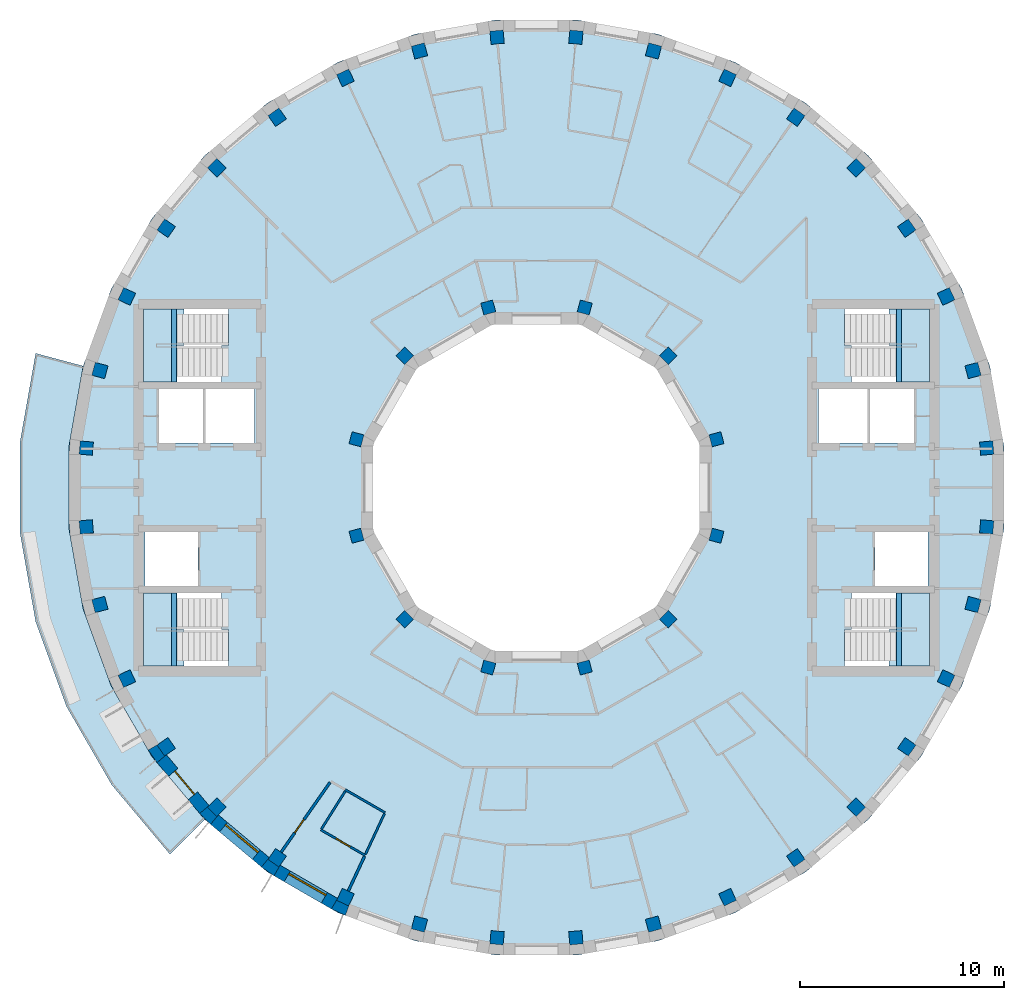
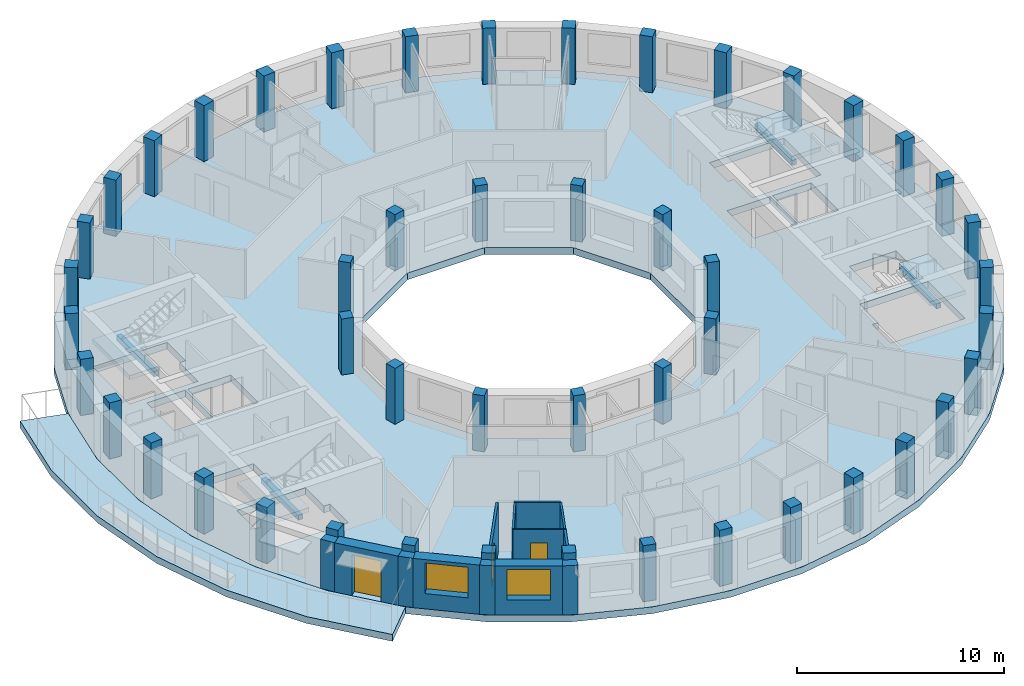
# One storey, part 1 of 10: 48 columns, 13 walls, 6 slabs, 4 beams, 3 doors, 2 windows, 5 openings, 4 elements without a shape of their own.
"""IFC4 building model written with IfcOpenShell, lengths in metres."""

from ifc_helpers import new_model, si_unit, direction, frame, frame_2d, origin, origin_2d, place, context, subcontext, project, spatial, polyline, rectangle, outline, extrude, material, layer, layer_set, material_profile, profile_set, type_object, element, fill, aggregate, save


model = new_model("IFC4")

# Units and contexts
model_context = context("Model", 3, precision=1e-05, world=origin(), true_north=direction((0.0, 1.0)))
body_context = subcontext(model_context, "Body", "Model", "MODEL_VIEW")
ifc_project = project(units=[si_unit("LENGTHUNIT", "METRE"), si_unit("AREAUNIT", "SQUARE_METRE"), si_unit("VOLUMEUNIT", "CUBIC_METRE"), si_unit("PLANEANGLEUNIT", "RADIAN"), si_unit("MASSUNIT", "GRAM", prefix="KILO")], contexts=[model_context])

# Site, building, storey
site_placement = place(None, origin())
site = spatial("IfcSite", under=ifc_project, at=site_placement, CompositionType="ELEMENT")
building_placement = place(site_placement, origin())
building = spatial("IfcBuilding", under=site, at=building_placement, Name="Saqina Gate Tower", CompositionType="ELEMENT")
storey_placement = place(building_placement, frame((0.0, 0.0, 256.10009765625)))
storey = spatial("IfcBuildingStorey", under=building, at=storey_placement, Name="L73", CompositionType="ELEMENT", Elevation=256.10009765625)

# Columns
ifc_material_1 = material(Name="Concrete C60/75", Category="concrete")
ifc_material_profile_1 = material_profile(ifc_material_1, rectangle(XDim=0.60009765625, YDim=0.60009765625, at=origin_2d()), Name="RC 600x600")
ifc_profile_set_1 = profile_set([ifc_material_profile_1], Name="Concrete C60/75")
column_type_1 = type_object("IfcColumnType", Name="STR-COL-IN-D", PredefinedType="COLUMN", material=ifc_profile_set_1)
for number, where, z_axis, x_axis, name in (
    (1, (8.821044921875, 2.363525390625, 0.0), (0.0, 0.0, 1.0), (0.965925826289, 0.258819045103, 0.0), "L73-ICL01"),
    (2, (6.45751953125, 6.45751953125, 0.0), (0.0, 0.0, 1.0), (0.707106781187, 0.707106781187, 0.0), "L73-ICL02"),
    (3, (2.363525390625, 8.821044921875, 0.0), (0.0, 0.0, 1.0), (0.258819045103, 0.965925826289, 0.0), "L73-ICL03"),
    (4, (-2.363525390625, 8.821044921875, 0.0), (0.0, 0.0, 1.0), (-0.258819045103, 0.965925826289, 0.0), "L73-ICL04"),
    (5, (-6.45751953125, 6.45751953125, 0.0), (0.0, 0.0, 1.0), (-0.707106781187, 0.707106781187, 0.0), "L73-ICL05"),
    (6, (-8.821044921875, 2.363525390625, 0.0), (0.0, 0.0, 1.0), (-0.965925826289, 0.258819045103, 0.0), "L73-ICL06"),
    (7, (-8.821044921875, -2.363525390625, 0.0), (0.0, 0.0, 1.0), (-0.965925826289, -0.258819045103, 0.0), "L73-ICL07"),
    (8, (-6.45751953125, -6.45751953125, 0.0), (0.0, 0.0, 1.0), (-0.707106781187, -0.707106781187, 0.0), "L73-ICL08"),
    (9, (-2.363525390625, -8.821044921875, 0.0), (0.0, 0.0, 1.0), (-0.258819045103, -0.965925826289, 0.0), "L73-ICL09"),
    (10, (2.363525390625, -8.821044921875, 0.0), (0.0, 0.0, 1.0), (0.258819045103, -0.965925826289, 0.0), "L73-ICL10"),
    (11, (6.45751953125, -6.45751953125, 0.0), (0.0, 0.0, 1.0), (0.707106781187, -0.707106781187, 0.0), "L73-ICL11"),
    (12, (8.821044921875, -2.363525390625, 0.0), (0.0, 0.0, 1.0), (0.965925826289, -0.258819045103, 0.0), "L73-ICL12"),
):
    element("IfcColumn", number, at=place(storey_placement, frame(where, z_axis=z_axis, x_axis=x_axis)), inside=storey, type_object=column_type_1, Name=name, PredefinedType="COLUMN", context=body_context, shape_type="SweptSolid", body=[
        extrude(rectangle(XDim=0.60009765625, YDim=0.60009765625, at=origin_2d()), origin(), (0.0, 0.0, 1.0), 3.2998046875),
    ])
ifc_material_2 = material(Name="Concrete C60/75", Category="concrete")
ifc_material_profile_2 = material_profile(ifc_material_2, rectangle(XDim=0.64990234375, YDim=0.64990234375, at=origin_2d()), Name="RC 650x650")
ifc_profile_set_2 = profile_set([ifc_material_profile_2], Name="Concrete C60/75")
column_type_2 = type_object("IfcColumnType", Name="STR-COL-OUT-D", PredefinedType="COLUMN", material=ifc_profile_set_2)
for number, where, z_axis, x_axis, name in (
    (13, (22.065673828125, 1.930419921875, 0.0), (0.0, 0.0, 1.0), (0.996194698092, 0.087155742748, 0.0), "L73-COL01"),
    (14, (21.395263671875, 5.73291015625, 0.0), (0.0, 0.0, 1.0), (0.965925826289, 0.258819045103, 0.0), "L73-COL02"),
    (15, (20.07470703125, 9.361083984375, 0.0), (0.0, 0.0, 1.0), (0.906307787037, 0.422618261741, 0.0), "L73-COL03"),
    (16, (18.144287109375, 12.704833984375, 0.0), (0.0, 0.0, 1.0), (0.819152044289, 0.573576436351, 0.0), "L73-COL04"),
    (17, (15.662353515625, 15.662353515625, 0.0), (0.0, 0.0, 1.0), (0.707106781187, 0.707106781187, 0.0), "L73-COL05"),
    (18, (12.704833984375, 18.144287109375, 0.0), (0.0, 0.0, 1.0), (0.573576436351, 0.819152044289, 0.0), "L73-COL06"),
    (19, (9.361083984375, 20.07470703125, 0.0), (0.0, 0.0, 1.0), (0.422618261741, 0.906307787037, 0.0), "L73-COL07"),
    (20, (5.73291015625, 21.395263671875, 0.0), (0.0, 0.0, 1.0), (0.258819045103, 0.965925826289, 0.0), "L73-COL08"),
    (21, (1.930419921875, 22.065673828125, 0.0), (0.0, 0.0, 1.0), (0.087155742748, 0.996194698092, 0.0), "L73-COL09"),
    (22, (-1.930419921875, 22.065673828125, 0.0), (0.0, 0.0, 1.0), (-0.087155742748, 0.996194698092, 0.0), "L73-COL10"),
    (23, (-5.73291015625, 21.395263671875, 0.0), (0.0, 0.0, 1.0), (-0.258819045103, 0.965925826289, 0.0), "L73-COL11"),
    (24, (-9.361083984375, 20.07470703125, 0.0), (0.0, 0.0, 1.0), (-0.422618261741, 0.906307787037, 0.0), "L73-COL12"),
    (25, (-12.704833984375, 18.144287109375, 0.0), (0.0, 0.0, 1.0), (-0.573576436351, 0.819152044289, 0.0), "L73-COL13"),
    (26, (-15.662353515625, 15.662353515625, 0.0), (0.0, 0.0, 1.0), (-0.707106781187, 0.707106781187, 0.0), "L73-COL14"),
    (27, (-18.144287109375, 12.704833984375, 0.0), (0.0, 0.0, 1.0), (-0.819152044289, 0.573576436351, 0.0), "L73-COL15"),
    (28, (-20.07470703125, 9.361083984375, 0.0), (0.0, 0.0, 1.0), (-0.906307787037, 0.422618261741, 0.0), "L73-COL16"),
    (29, (-21.395263671875, 5.73291015625, 0.0), (0.0, 0.0, 1.0), (-0.965925826289, 0.258819045103, 0.0), "L73-COL17"),
    (30, (-22.065673828125, 1.930419921875, 0.0), (0.0, 0.0, 1.0), (-0.996194698092, 0.087155742748, 0.0), "L73-COL18"),
    (31, (-22.065673828125, -1.930419921875, 0.0), (0.0, 0.0, 1.0), (-0.996194698092, -0.087155742748, 0.0), "L73-COL19"),
    (32, (-21.395263671875, -5.73291015625, 0.0), (0.0, 0.0, 1.0), (-0.965925826289, -0.258819045103, 0.0), "L73-COL20"),
    (33, (-20.07470703125, -9.361083984375, 0.0), (0.0, 0.0, 1.0), (-0.906307787037, -0.422618261741, 0.0), "L73-COL21"),
    (34, (-18.144287109375, -12.704833984375, 0.0), (0.0, 0.0, 1.0), (-0.819152044289, -0.573576436351, 0.0), "L73-COL22"),
    (35, (-15.662353515625, -15.662353515625, 0.0), (0.0, 0.0, 1.0), (-0.707106781187, -0.707106781187, 0.0), "L73-COL23"),
    (36, (-12.704833984375, -18.144287109375, 0.0), (0.0, 0.0, 1.0), (-0.573576436351, -0.819152044289, 0.0), "L73-COL24"),
    (37, (-9.361083984375, -20.07470703125, 0.0), (0.0, 0.0, 1.0), (-0.422618261741, -0.906307787037, 0.0), "L73-COL25"),
    (38, (-5.73291015625, -21.395263671875, 0.0), (0.0, 0.0, 1.0), (-0.258819045103, -0.965925826289, 0.0), "L73-COL26"),
    (39, (-1.930419921875, -22.065673828125, 0.0), (0.0, 0.0, 1.0), (-0.087155742748, -0.996194698092, 0.0), "L73-COL27"),
    (40, (1.930419921875, -22.065673828125, 0.0), (0.0, 0.0, 1.0), (0.087155742748, -0.996194698092, 0.0), "L73-COL28"),
    (41, (5.73291015625, -21.395263671875, 0.0), (0.0, 0.0, 1.0), (0.258819045103, -0.965925826289, 0.0), "L73-COL29"),
    (42, (9.361083984375, -20.07470703125, 0.0), (0.0, 0.0, 1.0), (0.422618261741, -0.906307787037, 0.0), "L73-COL30"),
    (43, (12.704833984375, -18.144287109375, 0.0), (0.0, 0.0, 1.0), (0.573576436351, -0.819152044289, 0.0), "L73-COL31"),
    (44, (15.662353515625, -15.662353515625, 0.0), (0.0, 0.0, 1.0), (0.707106781187, -0.707106781187, 0.0), "L73-COL32"),
    (45, (18.144287109375, -12.704833984375, 0.0), (0.0, 0.0, 1.0), (0.819152044289, -0.573576436351, 0.0), "L73-COL33"),
    (46, (20.07470703125, -9.361083984375, 0.0), (0.0, 0.0, 1.0), (0.906307787037, -0.422618261741, 0.0), "L73-COL34"),
    (47, (21.395263671875, -5.73291015625, 0.0), (0.0, 0.0, 1.0), (0.965925826289, -0.258819045103, 0.0), "L73-COL35"),
    (48, (22.065673828125, -1.930419921875, 0.0), (0.0, 0.0, 1.0), (0.996194698092, -0.087155742748, 0.0), "L73-COL36"),
):
    element("IfcColumn", number, at=place(storey_placement, frame(where, z_axis=z_axis, x_axis=x_axis)), inside=storey, type_object=column_type_2, Name=name, PredefinedType="COLUMN", context=body_context, shape_type="SweptSolid", body=[
        extrude(rectangle(XDim=0.64990234375, YDim=0.64990234375, at=origin_2d()), origin(), (0.0, 0.0, 1.0), 3.2998046875),
    ])

# Beams
ifc_material_3 = material(Name="Concrete C40/50", Category="concrete")
ifc_material_profile_3 = material_profile(ifc_material_3, rectangle(XDim=0.25, YDim=0.300048828125, at=origin_2d()), Name="STAIR LANDING BEAM")
ifc_profile_set_3 = profile_set([ifc_material_profile_3], Name="Concrete C40/50")
beam_type = type_object("IfcBeamType", Name="STAIR LANDING BEAM", PredefinedType="BEAM", material=ifc_profile_set_3)
for number, where, z_axis, x_axis, name in (
    (49, (17.77001953125, 5.175048828125, 1.25), (0.0, 1.0, 0.0), (-1.0, 0.0, 0.0), "EXIT STAIR 1 LANDING BEAM"),
    (50, (17.77001953125, -8.75, 1.25), (0.0, 1.0, 0.0), (-1.0, 0.0, 0.0), "EXIT STAIR 2 LANDING BEAM"),
    (51, (-17.77001953125, 5.175048828125, 1.25), (0.0, 1.0, 0.0), (-1.0, 0.0, 0.0), "EXIT STAIR 3 LANDING BEAM"),
    (52, (-17.77001953125, -8.75, 1.25), (0.0, 1.0, 0.0), (-1.0, 0.0, 0.0), "EXIT STAIR 4 LANDING BEAM"),
):
    element("IfcBeam", number, at=place(storey_placement, frame(where, z_axis=z_axis, x_axis=x_axis)), inside=storey, type_object=beam_type, Name=name, PredefinedType="BEAM", context=body_context, shape_type="SweptSolid", body=[
        extrude(rectangle(XDim=0.25, YDim=0.300048828125, at=origin_2d()), origin(), (0.0, 0.0, 1.0), 3.574951171875),
    ])

# Stair, slab
ifc_material_4 = material(Name="Concrete C40/50", Category="concrete")
stair_type = type_object("IfcStairType", Name="EXIT STAIR", PredefinedType="HALF_TURN_STAIR", material=ifc_material_4)
stair_1_placement = place(storey_placement, origin())
stair_1 = element("IfcStair", 53, at=stair_1_placement, inside=storey, type_object=stair_type, Name="EXIT STAIR 1", PredefinedType="HALF_TURN_STAIR")
ifc_material_5 = material(Name="Concrete C40/50", Category="concrete")
ifc_layer_1 = layer(ifc_material_5, 0.25)
ifc_layer_set_1 = layer_set([ifc_layer_1], Name="Concrete C40/50")
slab_type_1 = type_object("IfcSlabType", Name="EXIT STAIR LANDING", PredefinedType="LANDING", material=ifc_layer_set_1)
slab_1_placement = place(storey_placement, frame((0.0, 0.0, 1.39990234375)))
slab_1 = element("IfcSlab", 54, at=slab_1_placement, type_object=slab_type_1, Name="EXIT STAIR 1 LANDING 1", PredefinedType="LANDING", context=body_context, shape_type="SweptSolid", body=[
    extrude(outline(polyline([(19.25, 8.75), (19.25, 5.175048828125), (17.614990234375, 5.175048828125), (17.614990234375, 6.96240234375), (17.284423828125, 6.96240234375), (17.284423828125, 8.75), (17.614990234375, 8.75), (17.6201171875, 8.75), (19.25, 8.75)])), origin(), (0.0, 0.0, 1.0), 0.25),
])
aggregate(stair_1, [slab_1])

stair_2_placement = place(storey_placement, origin())
stair_2 = element("IfcStair", 55, at=stair_2_placement, inside=storey, type_object=stair_type, Name="EXIT STAIR 2", PredefinedType="HALF_TURN_STAIR")
slab_2_placement = place(storey_placement, frame((0.0, 0.0, 1.39990234375)))
slab_2 = element("IfcSlab", 56, at=slab_2_placement, type_object=slab_type_1, Name="EXIT STAIR 2 LANDING 1", PredefinedType="LANDING", context=body_context, shape_type="SweptSolid", body=[
    extrude(outline(polyline([(17.284423828125, -8.75), (17.284423828125, -6.96240234375), (17.614990234375, -6.96240234375), (17.614990234375, -5.175048828125), (19.25, -5.175048828125), (19.25, -8.75), (17.6201171875, -8.75), (17.614990234375, -8.75), (17.284423828125, -8.75)])), origin(), (0.0, 0.0, 1.0), 0.25),
])
aggregate(stair_2, [slab_2])

stair_3_placement = place(storey_placement, origin())
stair_3 = element("IfcStair", 57, at=stair_3_placement, inside=storey, type_object=stair_type, Name="EXIT STAIR 3", PredefinedType="HALF_TURN_STAIR")
slab_3_placement = place(storey_placement, frame((0.0, 0.0, 1.39990234375)))
slab_3 = element("IfcSlab", 58, at=slab_3_placement, type_object=slab_type_1, Name="EXIT STAIR 3 LANDING 1", PredefinedType="LANDING", context=body_context, shape_type="SweptSolid", body=[
    extrude(outline(polyline([(-17.614990234375, 5.175048828125), (-19.25, 5.175048828125), (-19.25, 8.75), (-17.6201171875, 8.75), (-17.614990234375, 8.75), (-17.284423828125, 8.75), (-17.284423828125, 6.96240234375), (-17.614990234375, 6.96240234375), (-17.614990234375, 5.175048828125)])), origin(), (0.0, 0.0, 1.0), 0.25),
])
aggregate(stair_3, [slab_3])

stair_4_placement = place(storey_placement, origin())
stair_4 = element("IfcStair", 59, at=stair_4_placement, inside=storey, type_object=stair_type, Name="EXIT STAIR 4", PredefinedType="HALF_TURN_STAIR")
slab_4_placement = place(storey_placement, frame((0.0, 0.0, 1.39990234375)))
slab_4 = element("IfcSlab", 60, at=slab_4_placement, type_object=slab_type_1, Name="EXIT STAIR 4 LANDING 1", PredefinedType="LANDING", context=body_context, shape_type="SweptSolid", body=[
    extrude(outline(polyline([(-17.284423828125, -6.96240234375), (-17.284423828125, -8.75), (-17.614990234375, -8.75), (-17.6201171875, -8.75), (-19.25, -8.75), (-19.25, -5.175048828125), (-17.614990234375, -5.175048828125), (-17.614990234375, -6.96240234375), (-17.284423828125, -6.96240234375)])), origin(), (0.0, 0.0, 1.0), 0.25),
])
aggregate(stair_4, [slab_4])

# Slabs
ifc_material_6 = material(Name="Concrete C40/50", Category="concrete")
ifc_layer_2 = layer(ifc_material_6, 0.39990234375)
ifc_layer_set_2 = layer_set([ifc_layer_2], Name="Concrete C40/50")
slab_type_2 = type_object("IfcSlabType", Name="STR-POST-TENSIONED FLAT PLATE FLOOR-400", PredefinedType="FLOOR", material=ifc_layer_set_2)
slab_5_placement = place(storey_placement, frame((0.0, 0.0, -0.400146484375)))
element("IfcSlab", 61, at=slab_5_placement, inside=storey, type_object=slab_type_2, Name="L73-SLB01", PredefinedType="FLOOR", context=body_context, shape_type="SweptSolid", body=[
    extrude(outline(polyline([(22.21630859375, -5.952880859375), (22.91259765625, -2.004638671875), (22.91259765625, 2.004638671875), (22.21630859375, 5.952880859375), (20.844970703125, 9.72021484375), (18.840576171875, 13.192138671875), (16.263427734375, 16.263427734375), (13.192138671875, 18.840576171875), (9.72021484375, 20.844970703125), (5.952880859375, 22.21630859375), (2.004638671875, 22.91259765625), (-2.004638671875, 22.91259765625), (-5.952880859375, 22.21630859375), (-9.72021484375, 20.844970703125), (-13.192138671875, 18.840576171875), (-16.263427734375, 16.263427734375), (-18.840576171875, 13.192138671875), (-20.844970703125, 9.72021484375), (-22.21630859375, 5.952880859375), (-22.91259765625, 2.004638671875), (-22.91259765625, -2.004638671875), (-22.21630859375, -5.952880859375), (-20.844970703125, -9.72021484375), (-18.840576171875, -13.192138671875), (-16.263427734375, -16.263427734375), (-13.192138671875, -18.840576171875), (-9.72021484375, -20.844970703125), (-5.952880859375, -22.21630859375), (-2.004638671875, -22.91259765625), (2.004638671875, -22.91259765625), (5.952880859375, -22.21630859375), (9.72021484375, -20.844970703125), (13.192138671875, -18.840576171875), (16.263427734375, -16.263427734375), (18.840576171875, -13.192138671875), (20.844970703125, -9.72021484375), (22.21630859375, -5.952880859375)]), holes=[polyline([(2.1435546875, 8.0), (5.8564453125, 5.8564453125), (8.0, 2.1435546875), (8.0, -2.1435546875), (5.8564453125, -5.8564453125), (2.1435546875, -8.0), (-2.1435546875, -8.0), (-5.8564453125, -5.8564453125), (-8.0, -2.1435546875), (-8.0, 2.1435546875), (-5.8564453125, 5.8564453125), (-2.1435546875, 8.0), (2.1435546875, 8.0)]), polyline([(-15.10498046875, -8.75), (-19.25, -8.75), (-19.25, -6.96240234375), (-19.25, -5.175048828125), (-15.435546875, -5.175048828125), (-15.435546875, -6.96240234375), (-15.10498046875, -6.96240234375), (-15.10498046875, -8.75)]), polyline([(-16.590087890625, -2.175048828125), (-16.590087890625, -4.824951171875), (-19.18994140625, -4.824951171875), (-19.18994140625, -2.175048828125), (-16.590087890625, -2.175048828125)]), polyline([(-16.340087890625, 4.824951171875), (-16.340087890625, 2.175048828125), (-18.5, 2.175048828125), (-18.5, 4.824951171875), (-16.340087890625, 4.824951171875)]), polyline([(-13.81005859375, 4.824951171875), (-13.81005859375, 2.175048828125), (-16.219970703125, 2.175048828125), (-16.219970703125, 4.824951171875), (-13.81005859375, 4.824951171875)]), polyline([(-19.25, 6.96240234375), (-19.25, 8.75), (-15.10498046875, 8.75), (-15.10498046875, 6.96240234375), (-15.435546875, 6.96240234375), (-15.435546875, 5.175048828125), (-19.25, 5.175048828125), (-19.25, 6.96240234375)]), polyline([(15.10498046875, -8.75), (15.10498046875, -6.96240234375), (15.435546875, -6.96240234375), (15.435546875, -5.175048828125), (19.25, -5.175048828125), (19.25, -6.96240234375), (19.25, -8.75), (15.10498046875, -8.75)]), polyline([(19.18994140625, -2.175048828125), (19.18994140625, -4.824951171875), (16.590087890625, -4.824951171875), (16.590087890625, -2.175048828125), (19.18994140625, -2.175048828125)]), polyline([(16.219970703125, 4.824951171875), (16.219970703125, 2.175048828125), (13.81005859375, 2.175048828125), (13.81005859375, 4.824951171875), (16.219970703125, 4.824951171875)]), polyline([(18.5, 4.824951171875), (18.5, 2.175048828125), (16.340087890625, 2.175048828125), (16.340087890625, 4.824951171875), (18.5, 4.824951171875)]), polyline([(15.435546875, 6.96240234375), (15.10498046875, 6.96240234375), (15.10498046875, 8.75), (19.25, 8.75), (19.25, 6.96240234375), (19.25, 5.175048828125), (15.435546875, 5.175048828125), (15.435546875, 6.96240234375)])]), origin(), (0.0, 0.0, 1.0), 0.400146484375),
])
ifc_material_7 = material(Name="Concrete C40/50", Category="concrete")
ifc_layer_3 = layer(ifc_material_7, 0.39990234375)
ifc_layer_set_3 = layer_set([ifc_layer_3], Name="Concrete C40/50")
slab_type_3 = type_object("IfcSlabType", Name="STR-POST-TENSIONED FLAT PLATE TERRACE-400", PredefinedType="FLOOR", material=ifc_layer_set_3)
slab_6_placement = place(storey_placement, frame((0.0, 0.0, -0.400146484375)))
element("IfcSlab", 62, at=slab_6_placement, inside=storey, type_object=slab_type_3, Name="L73-TRS01", PredefinedType="FLOOR", context=body_context, shape_type="SweptSolid", body=[
    extrude(outline(polyline([(-22.21630859375, 5.952880859375), (-22.91259765625, 2.004638671875), (-22.91259765625, -2.004638671875), (-22.21630859375, -5.952880859375), (-20.844970703125, -9.72021484375), (-18.840576171875, -13.192138671875), (-16.263427734375, -16.263427734375), (-17.967041015625, -17.967041015625), (-20.81396484375, -14.57421875), (-23.028564453125, -10.73828125), (-24.54345703125, -6.576416015625), (-25.3125, -2.214599609375), (-25.3125, 2.214599609375), (-24.54345703125, 6.576416015625), (-22.21630859375, 5.952880859375)])), origin(), (0.0, 0.0, 1.0), 0.400146484375),
])

# Walls
ifc_material_8 = material(Name="Brick masonry (buff)", Category="masonry")
wall_type_1 = type_object("IfcWallType", Name="BRICK PIER COPING BUFF", PredefinedType="SOLIDWALL", material=ifc_material_8)
wall_1_placement = place(storey_placement, origin())
element("IfcWall", 63, at=wall_1_placement, inside=storey, type_object=wall_type_1, Name="Pier cap L73 column 22", PredefinedType="SOLIDWALL", context=body_context, shape_type="SweptSolid", body=[
    extrude(outline(polyline([(-19.02978515625, -12.8642578125), (-18.59716796875, -13.482421875), (-18.137451171875, -13.0966796875), (-18.22412109375, -13.157470703125), (-18.596923828125, -12.625), (-18.51025390625, -12.564208984375), (-19.02978515625, -12.8642578125)])), origin(), (0.0, 0.0, 1.0), 2.89990234375),
])
wall_2_placement = place(storey_placement, origin())
element("IfcWall", 64, at=wall_2_placement, inside=storey, type_object=wall_type_1, Name="Pier cap L73 column 23", PredefinedType="SOLIDWALL", context=body_context, shape_type="SweptSolid", body=[
    extrude(outline(polyline([(-15.973388671875, -16.5068359375), (-15.587646484375, -16.04736328125), (-15.662353515625, -16.1220703125), (-16.1220703125, -15.662353515625), (-16.04736328125, -15.587646484375), (-16.5068359375, -15.973388671875), (-15.973388671875, -16.5068359375)])), origin(), (0.0, 0.0, 1.0), 2.89990234375),
])
wall_3_placement = place(storey_placement, origin())
element("IfcWall", 65, at=wall_3_placement, inside=storey, type_object=wall_type_1, Name="Pier cap L73 column 24", PredefinedType="SOLIDWALL", context=body_context, shape_type="SweptSolid", body=[
    extrude(outline(polyline([(-12.8642578125, -19.02978515625), (-12.564208984375, -18.51025390625), (-12.625, -18.596923828125), (-13.157470703125, -18.22412109375), (-13.0966796875, -18.137451171875), (-13.482421875, -18.59716796875), (-12.8642578125, -19.02978515625)])), origin(), (0.0, 0.0, 1.0), 2.89990234375),
])
wall_4_placement = place(storey_placement, origin())
element("IfcWall", 66, at=wall_4_placement, inside=storey, type_object=wall_type_1, Name="Pier cap L73 column 25", PredefinedType="SOLIDWALL", context=body_context, shape_type="SweptSolid", body=[
    extrude(outline(polyline([(-10.048095703125, -20.65576171875), (-9.3642578125, -20.974609375), (-9.1591796875, -20.410888671875), (-9.203857421875, -20.506591796875), (-9.79296875, -20.23193359375), (-9.748291015625, -20.135986328125), (-10.048095703125, -20.65576171875)])), origin(), (0.0, 0.0, 1.0), 2.89990234375),
])

# Wall, opening, door
ifc_material_9 = material(Name="Brick masonry (buff)", Category="masonry")
ifc_layer_4 = layer(ifc_material_9, 0.60009765625)
ifc_layer_set_4 = layer_set([ifc_layer_4], Name="FW-BRICK-BUFF")
wall_type_2 = type_object("IfcWallType", Name="FW-BRICK-BUFF", PredefinedType="SOLIDWALL", material=ifc_layer_set_4)
wall_5_placement = place(storey_placement, frame((-18.3671875, -13.28955078125, 0.0), z_axis=(0.0, 0.0, 1.0), x_axis=(0.64277291405, -0.766056773982, 0.0)))
wall_5 = element("IfcWall", 67, at=wall_5_placement, inside=storey, type_object=wall_type_2, Name="Facade wall L73 facet 22", PredefinedType="SOLIDWALL", context=body_context, shape_type="SweptSolid", body=[
    extrude(rectangle(XDim=3.251708984375, YDim=0.60009765625, at=frame_2d((1.6259765625, 0.0))), origin(), (0.0, 0.0, 1.0), 2.89990234375),
])
opening_1_placement = place(wall_5_placement, frame((0.875732421875, 0.0, 0.0)))
opening_1 = element("IfcOpeningElement", 68, at=opening_1_placement, cuts=wall_5, Name="Opening G21-D81", PredefinedType="OPENING", context=body_context, shape_type="SweptSolid", body=[
    extrude(rectangle(XDim=1.5, YDim=2.39990234375, at=frame_2d((0.75, 1.199951171875))), frame((0.0, 0.31201171875, 0.0), z_axis=(0.0, -1.0, 0.0), x_axis=(1.0, 0.0, 0.0)), (0.0, 0.0, 1.0), 0.6240234375),
])
ifc_material_10 = material(Name="Aluminium glazing", Category="aluminium")
door_type_1 = type_object("IfcDoorType", Name="GD-D", OperationType="DOUBLE_DOOR_SINGLE_SWING", PredefinedType="DOOR", material=ifc_material_10)
door_1_placement = place(opening_1_placement, frame((1.5, 0.0, 0.0), z_axis=(0.0, 0.0, 1.0), x_axis=(-1.0, 0.0, 0.0)))
door_1 = element("IfcDoor", 69, at=door_1_placement, inside=storey, type_object=door_type_1, Name="Terrace door L73 facet 22", OperationType="DOUBLE_DOOR_SINGLE_SWING", OverallHeight=2.39990234375, OverallWidth=1.5, PredefinedType="DOOR", context=body_context, shape_type="SweptSolid", body=[
    extrude(rectangle(XDim=1.5, YDim=2.39990234375, at=frame_2d((0.75, 1.199951171875))), frame((0.0, -0.0751953125, 0.0), z_axis=(0.0, -1.0, 0.0), x_axis=(1.0, 0.0, 0.0)), (0.0, 0.0, 1.0), 0.050048828125),
])
fill(opening_1, door_1)

# Wall, opening, window
wall_6_placement = place(storey_placement, frame((-15.780517578125, -16.277099609375, 0.0), z_axis=(0.0, 0.0, 1.0), x_axis=(0.766056773982, -0.64277291405, 0.0)))
wall_6 = element("IfcWall", 70, at=wall_6_placement, inside=storey, type_object=wall_type_2, Name="Facade wall L73 facet 23", PredefinedType="SOLIDWALL", context=body_context, shape_type="SweptSolid", body=[
    extrude(rectangle(XDim=3.251708984375, YDim=0.60009765625, at=frame_2d((1.6259765625, 0.0))), origin(), (0.0, 0.0, 1.0), 2.89990234375),
])
opening_2_placement = place(wall_6_placement, frame((0.57568359375, 0.0, 0.89990234375)))
opening_2 = element("IfcOpeningElement", 71, at=opening_2_placement, cuts=wall_6, Name="Opening G21-W14", PredefinedType="OPENING", context=body_context, shape_type="SweptSolid", body=[
    extrude(rectangle(XDim=2.10009765625, YDim=1.800048828125, at=frame_2d((1.050048828125, 0.89990234375))), frame((0.0, 0.31201171875, 0.0), z_axis=(0.0, -1.0, 0.0), x_axis=(1.0, 0.0, 0.0)), (0.0, 0.0, 1.0), 0.6240234375),
])
ifc_material_11 = material(Name="Aluminium glazing", Category="aluminium")
window_type = type_object("IfcWindowType", Name="WN-D", PartitioningType="SINGLE_PANEL", PredefinedType="WINDOW", material=ifc_material_11)
window_1_placement = place(opening_2_placement, origin())
window_1 = element("IfcWindow", 72, at=window_1_placement, inside=storey, type_object=window_type, Name="Window L73 facet 23", OverallHeight=1.800048828125, OverallWidth=2.10009765625, PartitioningType="SINGLE_PANEL", PredefinedType="WINDOW", context=body_context, shape_type="SweptSolid", body=[
    extrude(rectangle(XDim=2.10009765625, YDim=1.800048828125, at=frame_2d((1.050048828125, 0.89990234375))), frame((0.0, 0.179931640625, 0.0), z_axis=(0.0, -1.0, 0.0), x_axis=(1.0, 0.0, 0.0)), (0.0, 0.0, 1.0), 0.06005859375),
])
fill(opening_2, window_1)

wall_7_placement = place(storey_placement, frame((-12.71435546875, -18.77001953125, 0.0), z_axis=(0.0, 0.0, 1.0), x_axis=(0.866016800201, -0.500014901547, 0.0)))
wall_7 = element("IfcWall", 73, at=wall_7_placement, inside=storey, type_object=wall_type_2, Name="Facade wall L73 facet 24", PredefinedType="SOLIDWALL", context=body_context, shape_type="SweptSolid", body=[
    extrude(rectangle(XDim=3.251953125, YDim=0.60009765625, at=frame_2d((1.6259765625, 0.0))), origin(), (0.0, 0.0, 1.0), 2.89990234375),
])
opening_3_placement = place(wall_7_placement, frame((0.57568359375, 0.0, 0.89990234375)))
opening_3 = element("IfcOpeningElement", 74, at=opening_3_placement, cuts=wall_7, Name="Opening G21-W15", PredefinedType="OPENING", context=body_context, shape_type="SweptSolid", body=[
    extrude(rectangle(XDim=2.10009765625, YDim=1.800048828125, at=frame_2d((1.050048828125, 0.89990234375))), frame((0.0, 0.31201171875, 0.0), z_axis=(0.0, -1.0, 0.0), x_axis=(1.0, 0.0, 0.0)), (0.0, 0.0, 1.0), 0.6240234375),
])
window_2_placement = place(opening_3_placement, origin())
window_2 = element("IfcWindow", 75, at=window_2_placement, inside=storey, type_object=window_type, Name="Window L73 facet 24", OverallHeight=1.800048828125, OverallWidth=2.10009765625, PartitioningType="SINGLE_PANEL", PredefinedType="WINDOW", context=body_context, shape_type="SweptSolid", body=[
    extrude(rectangle(XDim=2.10009765625, YDim=1.800048828125, at=frame_2d((1.050048828125, 0.89990234375))), frame((0.0, 0.179931640625, 0.0), z_axis=(0.0, -1.0, 0.0), x_axis=(1.0, 0.0, 0.0)), (0.0, 0.0, 1.0), 0.06005859375),
])
fill(opening_3, window_2)

# Wall, opening, door
ifc_material_12 = material(Name="Gypsum board on steel studs, 100 mm", Category="steel")
ifc_layer_5 = layer(ifc_material_12, 0.10009765625)
ifc_layer_set_5 = layer_set([ifc_layer_5], Name="PARTITION 100")
wall_type_3 = type_object("IfcWallType", Name="PARTITION 100", PredefinedType="PARTITIONING", material=ifc_layer_set_5)
wall_8_placement = place(storey_placement, frame((-10.56494140625, -16.778076171875, 0.0), z_axis=(0.0, 0.0, 1.0), x_axis=(0.866060068719, -0.499939953764, 0.0)))
wall_8 = element("IfcWall", 76, at=wall_8_placement, inside=storey, type_object=wall_type_3, Name="PARTITION PW3-14", PredefinedType="PARTITIONING", context=body_context, shape_type="SweptSolid", body=[
    extrude(rectangle(XDim=2.493896484375, YDim=0.10009765625, at=frame_2d((1.2470703125, 0.0))), origin(), (0.0, 0.0, 1.0), 2.89990234375),
])
opening_4_placement = place(wall_8_placement, frame((0.84716796875, 0.0, 0.0)))
opening_4 = element("IfcOpeningElement", 77, at=opening_4_placement, cuts=wall_8, Name="Opening G21-D27", PredefinedType="OPENING", context=body_context, shape_type="SweptSolid", body=[
    extrude(rectangle(XDim=0.800048828125, YDim=2.10009765625, at=frame_2d((0.39990234375, 1.050048828125))), frame((0.0, 0.06201171875, 0.0), z_axis=(0.0, -1.0, 0.0), x_axis=(1.0, 0.0, 0.0)), (0.0, 0.0, 1.0), 0.1240234375),
])
ifc_material_13 = material(Name="Timber door leaf, 800 mm", Category="wood")
door_type_2 = type_object("IfcDoorType", Name="DOOR 800 TIMBER", OperationType="SINGLE_SWING_LEFT", PredefinedType="DOOR", material=ifc_material_13)
door_2_placement = place(opening_4_placement, frame((0.800048828125, 0.0, 0.0), z_axis=(0.0, 0.0, 1.0), x_axis=(-1.0, 0.0, 0.0)))
door_2 = element("IfcDoor", 78, at=door_2_placement, inside=storey, type_object=door_type_2, Name="DOOR G21-D27", OperationType="SINGLE_SWING_LEFT", OverallHeight=2.10009765625, OverallWidth=0.800048828125, PredefinedType="DOOR", context=body_context, shape_type="SweptSolid", body=[
    extrude(rectangle(XDim=0.800048828125, YDim=2.10009765625, at=frame_2d((0.39990234375, 1.050048828125))), frame((0.0, 0.02490234375, 0.0), z_axis=(0.0, -1.0, 0.0), x_axis=(1.0, 0.0, 0.0)), (0.0, 0.0, 1.0), 0.050048828125),
])
fill(opening_4, door_2)

# Walls
wall_9_placement = place(storey_placement, frame((-9.38134765625, -14.804931640625, 0.0), z_axis=(0.0, 0.0, 1.0), x_axis=(0.866061092166, -0.499938180815, 0.0)))
element("IfcWall", 79, at=wall_9_placement, inside=storey, type_object=wall_type_3, Name="PARTITION PW3-15", PredefinedType="PARTITIONING", context=body_context, shape_type="SweptSolid", body=[
    extrude(rectangle(XDim=2.253173828125, YDim=0.10009765625, at=frame_2d((1.12646484375, 0.0))), origin(), (0.0, 0.0, 1.0), 2.89990234375),
])
wall_10_placement = place(storey_placement, frame((-10.538330078125, -16.735595703125, 0.0), z_axis=(0.0, 0.0, 1.0), x_axis=(0.532952249521, 0.846145318329, 0.0)))
element("IfcWall", 80, at=wall_10_placement, inside=storey, type_object=wall_type_3, Name="PARTITION PW3-38", PredefinedType="PARTITIONING", context=body_context, shape_type="SweptSolid", body=[
    extrude(rectangle(XDim=2.189697265625, YDim=0.10009765625, at=frame_2d((1.0947265625, 0.0))), origin(), (0.0, 0.0, 1.0), 2.89990234375),
])
wall_11_placement = place(storey_placement, frame((-8.378662109375, -17.96826171875, 0.0), z_axis=(0.0, 0.0, 1.0), x_axis=(0.423001064323, 0.90612918482, 0.0)))
element("IfcWall", 81, at=wall_11_placement, inside=storey, type_object=wall_type_3, Name="PARTITION PW3-40", PredefinedType="PARTITIONING", context=body_context, shape_type="SweptSolid", body=[
    extrude(rectangle(XDim=2.19677734375, YDim=0.10009765625, at=frame_2d((1.098388671875, 0.0))), origin(), (0.0, 0.0, 1.0), 2.89990234375),
])

# Wall, opening, door
ifc_material_14 = material(Name="Gypsum board on steel studs, 125 mm, fire rated", Category="steel")
ifc_layer_6 = layer(ifc_material_14, 0.125)
ifc_layer_set_6 = layer_set([ifc_layer_6], Name="PARTITION EI 30 125")
wall_type_4 = type_object("IfcWallType", Name="PARTITION EI 30 125", PredefinedType="PARTITIONING", material=ifc_layer_set_6)
wall_12_placement = place(storey_placement, frame((-12.5126953125, -17.869873046875, 0.0), z_axis=(0.0, 0.0, 1.0), x_axis=(0.573815640039, 0.818984500004, 0.0)))
wall_12 = element("IfcWall", 82, at=wall_12_placement, inside=storey, type_object=wall_type_4, Name="PARTITION PW1-31", PredefinedType="PARTITIONING", context=body_context, shape_type="SweptSolid", body=[
    extrude(rectangle(XDim=4.17333984375, YDim=0.125, at=frame_2d((2.086669921875, 0.0))), origin(), (0.0, 0.0, 1.0), 2.89990234375),
])
opening_5_placement = place(wall_12_placement, frame((1.1455078125, 0.0, 0.0)))
opening_5 = element("IfcOpeningElement", 83, at=opening_5_placement, cuts=wall_12, Name="Opening G21-D24", PredefinedType="OPENING", context=body_context, shape_type="SweptSolid", body=[
    extrude(rectangle(XDim=0.800048828125, YDim=2.10009765625, at=frame_2d((0.39990234375, 1.050048828125))), frame((0.0, 0.074462890625, 0.0), z_axis=(0.0, -1.0, 0.0), x_axis=(1.0, 0.0, 0.0)), (0.0, 0.0, 1.0), 0.14892578125),
])
ifc_material_15 = material(Name="Fire door leaf EI 30, 800 mm")
door_type_3 = type_object("IfcDoorType", Name="DOOR 800 EI 30", OperationType="SINGLE_SWING_LEFT", PredefinedType="DOOR", material=ifc_material_15)
door_3_placement = place(opening_5_placement, origin())
door_3 = element("IfcDoor", 84, at=door_3_placement, inside=storey, type_object=door_type_3, Name="DOOR G21-D24", OperationType="SINGLE_SWING_LEFT", OverallHeight=2.10009765625, OverallWidth=0.800048828125, PredefinedType="DOOR", context=body_context, shape_type="SweptSolid", body=[
    extrude(rectangle(XDim=0.800048828125, YDim=2.10009765625, at=frame_2d((0.39990234375, 1.050048828125))), frame((0.0, 0.02490234375, 0.0), z_axis=(0.0, -1.0, 0.0), x_axis=(1.0, 0.0, 0.0)), (0.0, 0.0, 1.0), 0.050048828125),
])
fill(opening_5, door_3)

# Wall
wall_13_placement = place(storey_placement, frame((-9.220947265625, -19.7705078125, 0.0), z_axis=(0.0, 0.0, 1.0), x_axis=(0.423433748068, 0.905927072671, 0.0)))
element("IfcWall", 85, at=wall_13_placement, inside=storey, type_object=wall_type_4, Name="PARTITION PW1-33", PredefinedType="PARTITIONING", context=body_context, shape_type="SweptSolid", body=[
    extrude(rectangle(XDim=1.876708984375, YDim=0.125, at=frame_2d((0.9384765625, 0.0))), origin(), (0.0, 0.0, 1.0), 2.89990234375),
])

save(model, "model.ifc")
